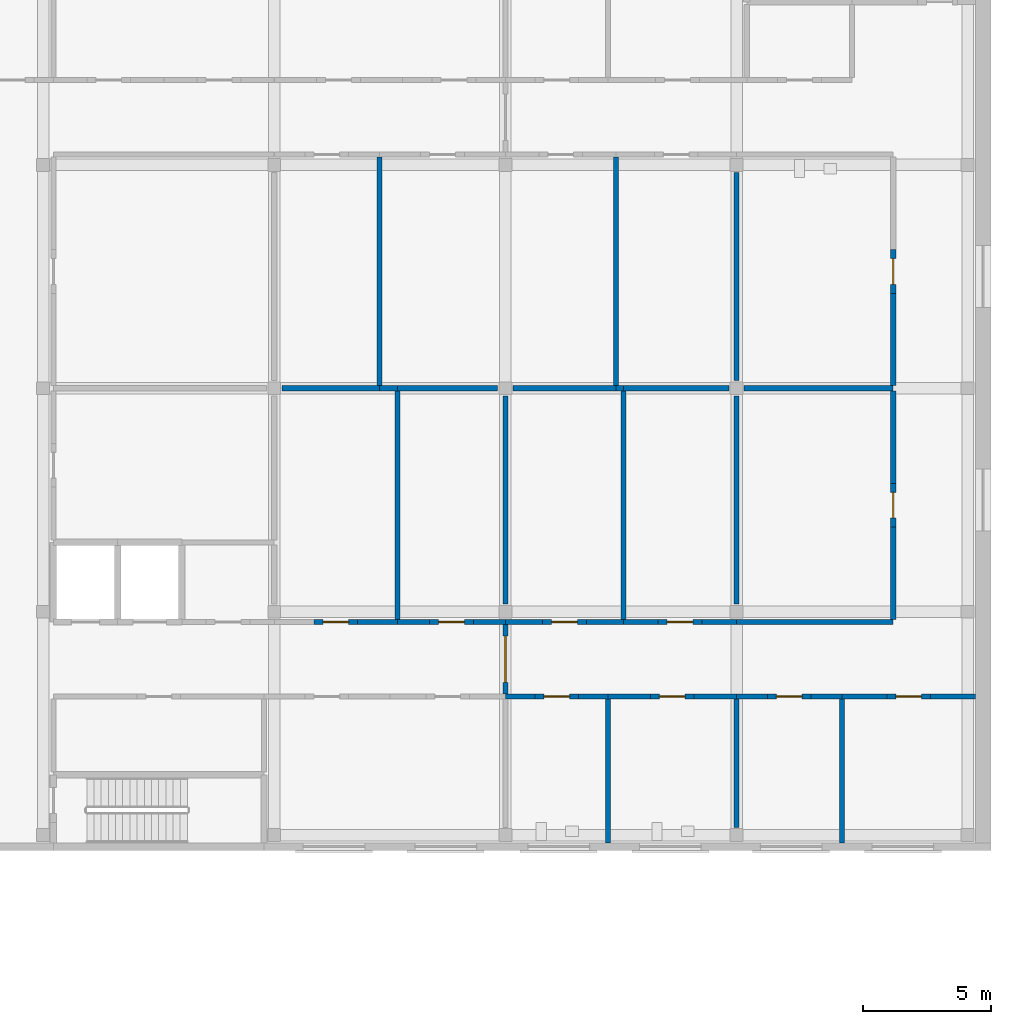
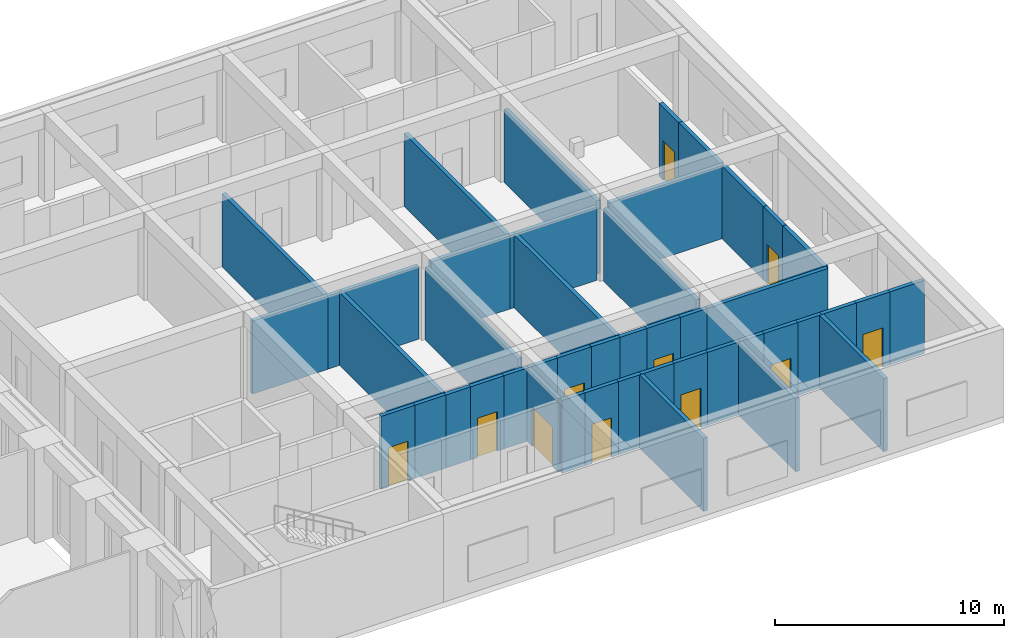
# One storey, part 14 of 24: 47 walls, 11 doors, 11 openings.
"""IFC4 building model written with IfcOpenShell, lengths in metres."""

from ifc_helpers import new_model, si_unit, direction, frame, frame_2d, origin, place, context, subcontext, project, spatial, rectangle, extrude, material, layer, layer_set, type_object, element, fill, save


model = new_model("IFC4")

# Units and contexts
model_context = context("Model", 3, precision=1e-05, world=origin(), true_north=direction((0.0, 1.0)))
body_context = subcontext(model_context, "Body", "Model", "MODEL_VIEW")
ifc_project = project(units=[si_unit("LENGTHUNIT", "METRE"), si_unit("AREAUNIT", "SQUARE_METRE"), si_unit("VOLUMEUNIT", "CUBIC_METRE"), si_unit("PLANEANGLEUNIT", "RADIAN"), si_unit("MASSUNIT", "GRAM", prefix="KILO")], contexts=[model_context])

# Site, building, storey
site_placement = place(None, origin())
site = spatial("IfcSite", under=ifc_project, at=site_placement, CompositionType="ELEMENT")
building_placement = place(site_placement, origin())
building = spatial("IfcBuilding", under=site, at=building_placement, Name="Girih Gate Residences", CompositionType="ELEMENT")
storey_placement = place(building_placement, frame((0.0, 0.0, 16.0)))
storey = spatial("IfcBuildingStorey", under=building, at=storey_placement, Name="L03", CompositionType="ELEMENT", Elevation=16.0)

# Wall
ifc_material_1 = material(Name="Fire-rated gypsum partition")
ifc_layer_1 = layer(ifc_material_1, 0.199951171875)
ifc_layer_set_1 = layer_set([ifc_layer_1], Name="HC Corridor wall 200 EI 60")
wall_type_1 = type_object("IfcWallType", Name="HC Corridor wall 200 EI 60", PredefinedType="PARTITIONING", material=ifc_layer_set_1)
wall_1_placement = place(storey_placement, frame((71.449951171875, 15.0, 0.0), z_axis=(0.0, 0.0, 1.0), x_axis=(1.0, 0.0, 0.0)))
element("IfcWall", 1, at=wall_1_placement, inside=storey, type_object=wall_type_1, Name="L03 wall x15.00/71.5", PredefinedType="PARTITIONING", context=body_context, shape_type="SweptSolid", body=[
    extrude(rectangle(XDim=1.150146484375, YDim=0.199951171875, at=frame_2d((0.5751953125, 0.0))), origin(), (0.0, 0.0, 1.0), 3.89990234375),
])

# Wall, opening, door
wall_2_placement = place(storey_placement, frame((74.300048828125, 15.0, 0.0), z_axis=(0.0, 0.0, 1.0), x_axis=(-1.0, 0.0, 0.0)))
wall_2 = element("IfcWall", 2, at=wall_2_placement, inside=storey, type_object=wall_type_1, Name="L03 wall x15.00/72.6", PredefinedType="PARTITIONING", context=body_context, shape_type="SweptSolid", body=[
    extrude(rectangle(XDim=1.699951171875, YDim=0.199951171875, at=frame_2d((0.85009765625, 0.0))), origin(), (0.0, 0.0, 1.0), 3.89990234375),
])
opening_1_placement = place(wall_2_placement, frame((0.35009765625, 0.0, 0.0)))
opening_1 = element("IfcOpeningElement", 3, at=opening_1_placement, cuts=wall_2, Name="Opening HC-L03-D10", PredefinedType="OPENING", context=body_context, shape_type="SweptSolid", body=[
    extrude(rectangle(XDim=1.0, YDim=2.10009765625, at=frame_2d((0.5, 1.050048828125))), frame((0.0, 0.10986328125, 0.0), z_axis=(0.0, -1.0, 0.0), x_axis=(1.0, 0.0, 0.0)), (0.0, 0.0, 1.0), 0.219970703125),
])
ifc_material_2 = material(Name="Timber door set", Category="wood")
door_type_1 = type_object("IfcDoorType", Name="HC Door 1000x2100 FD30S", OperationType="NOTDEFINED", PredefinedType="DOOR", material=ifc_material_2)
door_1_placement = place(opening_1_placement, origin())
door_1 = element("IfcDoor", 4, at=door_1_placement, inside=storey, type_object=door_type_1, Name="L03 Accessible WC door", OperationType="SINGLE_SWING_LEFT", OverallHeight=2.10009765625, OverallWidth=1.0, PredefinedType="DOOR", context=body_context, shape_type="SweptSolid", body=[
    extrude(rectangle(XDim=1.0, YDim=2.10009765625, at=frame_2d((0.5, 1.050048828125))), frame((0.0, 0.02490234375, 0.0), z_axis=(0.0, -1.0, 0.0), x_axis=(1.0, 0.0, 0.0)), (0.0, 0.0, 1.0), 0.050048828125),
])
fill(opening_1, door_1)

# Walls
wall_3_placement = place(storey_placement, frame((74.300048828125, 15.0, 0.0), z_axis=(0.0, 0.0, 1.0), x_axis=(1.0, 0.0, 0.0)))
element("IfcWall", 5, at=wall_3_placement, inside=storey, type_object=wall_type_1, Name="L03 wall x15.00/74.3", PredefinedType="PARTITIONING", context=body_context, shape_type="SweptSolid", body=[
    extrude(rectangle(XDim=1.14990234375, YDim=0.199951171875, at=frame_2d((0.574951171875, 0.0))), origin(), (0.0, 0.0, 1.0), 3.89990234375),
])
wall_4_placement = place(storey_placement, frame((75.449951171875, 15.0, 0.0), z_axis=(0.0, 0.0, 1.0), x_axis=(1.0, 0.0, 0.0)))
element("IfcWall", 6, at=wall_4_placement, inside=storey, type_object=wall_type_1, Name="L03 wall x15.00/75.5", PredefinedType="PARTITIONING", context=body_context, shape_type="SweptSolid", body=[
    extrude(rectangle(XDim=1.650146484375, YDim=0.199951171875, at=frame_2d((0.8251953125, 0.0))), origin(), (0.0, 0.0, 1.0), 3.89990234375),
])

# Wall, opening, door
wall_5_placement = place(storey_placement, frame((78.800048828125, 15.0, 0.0), z_axis=(0.0, 0.0, 1.0), x_axis=(-1.0, 0.0, 0.0)))
wall_5 = element("IfcWall", 7, at=wall_5_placement, inside=storey, type_object=wall_type_1, Name="L03 wall x15.00/77.1", PredefinedType="PARTITIONING", context=body_context, shape_type="SweptSolid", body=[
    extrude(rectangle(XDim=1.699951171875, YDim=0.199951171875, at=frame_2d((0.85009765625, 0.0))), origin(), (0.0, 0.0, 1.0), 3.89990234375),
])
opening_2_placement = place(wall_5_placement, frame((0.35009765625, 0.0, 0.0)))
opening_2 = element("IfcOpeningElement", 8, at=opening_2_placement, cuts=wall_5, Name="Opening HC-L03-D11", PredefinedType="OPENING", context=body_context, shape_type="SweptSolid", body=[
    extrude(rectangle(XDim=1.0, YDim=2.10009765625, at=frame_2d((0.5, 1.050048828125))), frame((0.0, 0.10986328125, 0.0), z_axis=(0.0, -1.0, 0.0), x_axis=(1.0, 0.0, 0.0)), (0.0, 0.0, 1.0), 0.219970703125),
])
door_2_placement = place(opening_2_placement, origin())
door_2 = element("IfcDoor", 9, at=door_2_placement, inside=storey, type_object=door_type_1, Name="L03 Public WC door", OperationType="SINGLE_SWING_RIGHT", OverallHeight=2.10009765625, OverallWidth=1.0, PredefinedType="DOOR", context=body_context, shape_type="SweptSolid", body=[
    extrude(rectangle(XDim=1.0, YDim=2.10009765625, at=frame_2d((0.5, 1.050048828125))), frame((0.0, 0.02490234375, 0.0), z_axis=(0.0, -1.0, 0.0), x_axis=(1.0, 0.0, 0.0)), (0.0, 0.0, 1.0), 0.050048828125),
])
fill(opening_2, door_2)

# Walls
wall_6_placement = place(storey_placement, frame((78.800048828125, 15.0, 0.0), z_axis=(0.0, 0.0, 1.0), x_axis=(1.0, 0.0, 0.0)))
element("IfcWall", 10, at=wall_6_placement, inside=storey, type_object=wall_type_1, Name="L03 wall x15.00/78.8", PredefinedType="PARTITIONING", context=body_context, shape_type="SweptSolid", body=[
    extrude(rectangle(XDim=1.64990234375, YDim=0.199951171875, at=frame_2d((0.824951171875, 0.0))), origin(), (0.0, 0.0, 1.0), 3.89990234375),
])
wall_7_placement = place(storey_placement, frame((80.449951171875, 15.0, 0.0), z_axis=(0.0, 0.0, 1.0), x_axis=(1.0, 0.0, 0.0)))
element("IfcWall", 11, at=wall_7_placement, inside=storey, type_object=wall_type_1, Name="L03 wall x15.00/80.5", PredefinedType="PARTITIONING", context=body_context, shape_type="SweptSolid", body=[
    extrude(rectangle(XDim=1.199951171875, YDim=0.199951171875, at=frame_2d((0.60009765625, 0.0))), origin(), (0.0, 0.0, 1.0), 3.89990234375),
])

# Wall, opening, door
wall_8_placement = place(storey_placement, frame((83.35009765625, 15.0, 0.0), z_axis=(0.0, 0.0, 1.0), x_axis=(-1.0, 0.0, 0.0)))
wall_8 = element("IfcWall", 12, at=wall_8_placement, inside=storey, type_object=wall_type_1, Name="L03 wall x15.00/81.7", PredefinedType="PARTITIONING", context=body_context, shape_type="SweptSolid", body=[
    extrude(rectangle(XDim=1.7001953125, YDim=0.199951171875, at=frame_2d((0.85009765625, 0.0))), origin(), (0.0, 0.0, 1.0), 3.89990234375),
])
opening_3_placement = place(wall_8_placement, frame((0.35009765625, 0.0, 0.0)))
opening_3 = element("IfcOpeningElement", 13, at=opening_3_placement, cuts=wall_8, Name="Opening HC-L03-D12", PredefinedType="OPENING", context=body_context, shape_type="SweptSolid", body=[
    extrude(rectangle(XDim=1.0, YDim=2.10009765625, at=frame_2d((0.5, 1.050048828125))), frame((0.0, 0.10986328125, 0.0), z_axis=(0.0, -1.0, 0.0), x_axis=(1.0, 0.0, 0.0)), (0.0, 0.0, 1.0), 0.219970703125),
])
door_3_placement = place(opening_3_placement, origin())
door_3 = element("IfcDoor", 14, at=door_3_placement, inside=storey, type_object=door_type_1, Name="L03 Dental surgery 3 door", OperationType="SINGLE_SWING_LEFT", OverallHeight=2.10009765625, OverallWidth=1.0, PredefinedType="DOOR", context=body_context, shape_type="SweptSolid", body=[
    extrude(rectangle(XDim=1.0, YDim=2.10009765625, at=frame_2d((0.5, 1.050048828125))), frame((0.0, 0.02490234375, 0.0), z_axis=(0.0, -1.0, 0.0), x_axis=(1.0, 0.0, 0.0)), (0.0, 0.0, 1.0), 0.050048828125),
])
fill(opening_3, door_3)

# Walls
wall_9_placement = place(storey_placement, frame((83.35009765625, 15.0, 0.0), z_axis=(0.0, 0.0, 1.0), x_axis=(1.0, 0.0, 0.0)))
element("IfcWall", 15, at=wall_9_placement, inside=storey, type_object=wall_type_1, Name="L03 wall x15.00/83.3", PredefinedType="PARTITIONING", context=body_context, shape_type="SweptSolid", body=[
    extrude(rectangle(XDim=1.199951171875, YDim=0.199951171875, at=frame_2d((0.60009765625, 0.0))), origin(), (0.0, 0.0, 1.0), 3.89990234375),
])
wall_10_placement = place(storey_placement, frame((84.550048828125, 15.0, 0.0), z_axis=(0.0, 0.0, 1.0), x_axis=(1.0, 0.0, 0.0)))
element("IfcWall", 16, at=wall_10_placement, inside=storey, type_object=wall_type_1, Name="L03 wall x15.00/84.5", PredefinedType="PARTITIONING", context=body_context, shape_type="SweptSolid", body=[
    extrude(rectangle(XDim=1.75, YDim=0.199951171875, at=frame_2d((0.875, 0.0))), origin(), (0.0, 0.0, 1.0), 3.89990234375),
])

# Wall, opening, door
wall_11_placement = place(storey_placement, frame((88.0, 15.0, 0.0), z_axis=(0.0, 0.0, 1.0), x_axis=(-1.0, 0.0, 0.0)))
wall_11 = element("IfcWall", 17, at=wall_11_placement, inside=storey, type_object=wall_type_1, Name="L03 wall x15.00/86.3", PredefinedType="PARTITIONING", context=body_context, shape_type="SweptSolid", body=[
    extrude(rectangle(XDim=1.699951171875, YDim=0.199951171875, at=frame_2d((0.85009765625, 0.0))), origin(), (0.0, 0.0, 1.0), 3.89990234375),
])
opening_4_placement = place(wall_11_placement, frame((0.35009765625, 0.0, 0.0)))
opening_4 = element("IfcOpeningElement", 18, at=opening_4_placement, cuts=wall_11, Name="Opening HC-L03-D13", PredefinedType="OPENING", context=body_context, shape_type="SweptSolid", body=[
    extrude(rectangle(XDim=1.0, YDim=2.10009765625, at=frame_2d((0.5, 1.050048828125))), frame((0.0, 0.10986328125, 0.0), z_axis=(0.0, -1.0, 0.0), x_axis=(1.0, 0.0, 0.0)), (0.0, 0.0, 1.0), 0.219970703125),
])
door_4_placement = place(opening_4_placement, origin())
door_4 = element("IfcDoor", 19, at=door_4_placement, inside=storey, type_object=door_type_1, Name="L03 Dental sterilisation room door", OperationType="SINGLE_SWING_RIGHT", OverallHeight=2.10009765625, OverallWidth=1.0, PredefinedType="DOOR", context=body_context, shape_type="SweptSolid", body=[
    extrude(rectangle(XDim=1.0, YDim=2.10009765625, at=frame_2d((0.5, 1.050048828125))), frame((0.0, 0.02490234375, 0.0), z_axis=(0.0, -1.0, 0.0), x_axis=(1.0, 0.0, 0.0)), (0.0, 0.0, 1.0), 0.050048828125),
])
fill(opening_4, door_4)

# Wall
wall_12_placement = place(storey_placement, frame((88.0, 15.0, 0.0), z_axis=(0.0, 0.0, 1.0), x_axis=(1.0, 0.0, 0.0)))
element("IfcWall", 20, at=wall_12_placement, inside=storey, type_object=wall_type_1, Name="L03 wall x15.00/88.0", PredefinedType="PARTITIONING", context=body_context, shape_type="SweptSolid", body=[
    extrude(rectangle(XDim=1.75, YDim=0.199951171875, at=frame_2d((0.875, 0.0))), origin(), (0.0, 0.0, 1.0), 3.89990234375),
])

# Wall, opening, door
wall_13_placement = place(storey_placement, frame((64.0, 17.89990234375, 0.0), z_axis=(0.0, 0.0, 1.0), x_axis=(1.0, 0.0, 0.0)))
wall_13 = element("IfcWall", 21, at=wall_13_placement, inside=storey, type_object=wall_type_1, Name="L03 wall x17.90/64.0", PredefinedType="PARTITIONING", context=body_context, shape_type="SweptSolid", body=[
    extrude(rectangle(XDim=1.699951171875, YDim=0.199951171875, at=frame_2d((0.85009765625, 0.0))), origin(), (0.0, 0.0, 1.0), 3.89990234375),
])
opening_5_placement = place(wall_13_placement, frame((0.35009765625, 0.0, 0.0)))
opening_5 = element("IfcOpeningElement", 22, at=opening_5_placement, cuts=wall_13, Name="Opening HC-L03-D16", PredefinedType="OPENING", context=body_context, shape_type="SweptSolid", body=[
    extrude(rectangle(XDim=1.0, YDim=2.10009765625, at=frame_2d((0.5, 1.050048828125))), frame((0.0, 0.10986328125, 0.0), z_axis=(0.0, -1.0, 0.0), x_axis=(1.0, 0.0, 0.0)), (0.0, 0.0, 1.0), 0.219970703125),
])
door_5_placement = place(opening_5_placement, origin())
door_5 = element("IfcDoor", 23, at=door_5_placement, inside=storey, type_object=door_type_1, Name="L03 Physiotherapy gym door", OperationType="SINGLE_SWING_RIGHT", OverallHeight=2.10009765625, OverallWidth=1.0, PredefinedType="DOOR", context=body_context, shape_type="SweptSolid", body=[
    extrude(rectangle(XDim=1.0, YDim=2.10009765625, at=frame_2d((0.5, 1.050048828125))), frame((0.0, 0.02490234375, 0.0), z_axis=(0.0, -1.0, 0.0), x_axis=(1.0, 0.0, 0.0)), (0.0, 0.0, 1.0), 0.050048828125),
])
fill(opening_5, door_5)

# Walls
wall_14_placement = place(storey_placement, frame((65.699951171875, 17.89990234375, 0.0), z_axis=(0.0, 0.0, 1.0), x_axis=(1.0, 0.0, 0.0)))
element("IfcWall", 24, at=wall_14_placement, inside=storey, type_object=wall_type_1, Name="L03 wall x17.90/65.7", PredefinedType="PARTITIONING", context=body_context, shape_type="SweptSolid", body=[
    extrude(rectangle(XDim=1.550048828125, YDim=0.199951171875, at=frame_2d((0.77490234375, 0.0))), origin(), (0.0, 0.0, 1.0), 3.89990234375),
])
wall_15_placement = place(storey_placement, frame((67.25, 17.89990234375, 0.0), z_axis=(0.0, 0.0, 1.0), x_axis=(1.0, 0.0, 0.0)))
element("IfcWall", 25, at=wall_15_placement, inside=storey, type_object=wall_type_1, Name="L03 wall x17.90/67.2", PredefinedType="PARTITIONING", context=body_context, shape_type="SweptSolid", body=[
    extrude(rectangle(XDim=1.25, YDim=0.199951171875, at=frame_2d((0.625, 0.0))), origin(), (0.0, 0.0, 1.0), 3.89990234375),
])

# Wall, opening, door
wall_16_placement = place(storey_placement, frame((68.5, 17.89990234375, 0.0), z_axis=(0.0, 0.0, 1.0), x_axis=(1.0, 0.0, 0.0)))
wall_16 = element("IfcWall", 26, at=wall_16_placement, inside=storey, type_object=wall_type_1, Name="L03 wall x17.90/68.5", PredefinedType="PARTITIONING", context=body_context, shape_type="SweptSolid", body=[
    extrude(rectangle(XDim=1.699951171875, YDim=0.199951171875, at=frame_2d((0.85009765625, 0.0))), origin(), (0.0, 0.0, 1.0), 3.89990234375),
])
opening_6_placement = place(wall_16_placement, frame((0.35009765625, 0.0, 0.0)))
opening_6 = element("IfcOpeningElement", 27, at=opening_6_placement, cuts=wall_16, Name="Opening HC-L03-D17", PredefinedType="OPENING", context=body_context, shape_type="SweptSolid", body=[
    extrude(rectangle(XDim=1.0, YDim=2.10009765625, at=frame_2d((0.5, 1.050048828125))), frame((0.0, 0.10986328125, 0.0), z_axis=(0.0, -1.0, 0.0), x_axis=(1.0, 0.0, 0.0)), (0.0, 0.0, 1.0), 0.219970703125),
])
door_6_placement = place(opening_6_placement, origin())
door_6 = element("IfcDoor", 28, at=door_6_placement, inside=storey, type_object=door_type_1, Name="L03 Physiotherapy assessment room door", OperationType="SINGLE_SWING_LEFT", OverallHeight=2.10009765625, OverallWidth=1.0, PredefinedType="DOOR", context=body_context, shape_type="SweptSolid", body=[
    extrude(rectangle(XDim=1.0, YDim=2.10009765625, at=frame_2d((0.5, 1.050048828125))), frame((0.0, 0.02490234375, 0.0), z_axis=(0.0, -1.0, 0.0), x_axis=(1.0, 0.0, 0.0)), (0.0, 0.0, 1.0), 0.050048828125),
])
fill(opening_6, door_6)

# Walls
wall_17_placement = place(storey_placement, frame((70.199951171875, 17.89990234375, 0.0), z_axis=(0.0, 0.0, 1.0), x_axis=(1.0, 0.0, 0.0)))
element("IfcWall", 29, at=wall_17_placement, inside=storey, type_object=wall_type_1, Name="L03 wall x17.90/70.2", PredefinedType="PARTITIONING", context=body_context, shape_type="SweptSolid", body=[
    extrude(rectangle(XDim=1.25, YDim=0.199951171875, at=frame_2d((0.625, 0.0))), origin(), (0.0, 0.0, 1.0), 3.89990234375),
])
wall_18_placement = place(storey_placement, frame((71.449951171875, 17.89990234375, 0.0), z_axis=(0.0, 0.0, 1.0), x_axis=(1.0, 0.0, 0.0)))
element("IfcWall", 30, at=wall_18_placement, inside=storey, type_object=wall_type_1, Name="L03 wall x17.90/71.5", PredefinedType="PARTITIONING", context=body_context, shape_type="SweptSolid", body=[
    extrude(rectangle(XDim=1.449951171875, YDim=0.199951171875, at=frame_2d((0.72509765625, 0.0))), origin(), (0.0, 0.0, 1.0), 3.89990234375),
])

# Wall, opening, door
wall_19_placement = place(storey_placement, frame((72.89990234375, 17.89990234375, 0.0), z_axis=(0.0, 0.0, 1.0), x_axis=(1.0, 0.0, 0.0)))
wall_19 = element("IfcWall", 31, at=wall_19_placement, inside=storey, type_object=wall_type_1, Name="L03 wall x17.90/72.9", PredefinedType="PARTITIONING", context=body_context, shape_type="SweptSolid", body=[
    extrude(rectangle(XDim=1.7001953125, YDim=0.199951171875, at=frame_2d((0.85009765625, 0.0))), origin(), (0.0, 0.0, 1.0), 3.89990234375),
])
opening_7_placement = place(wall_19_placement, frame((0.35009765625, 0.0, 0.0)))
opening_7 = element("IfcOpeningElement", 32, at=opening_7_placement, cuts=wall_19, Name="Opening HC-L03-D18", PredefinedType="OPENING", context=body_context, shape_type="SweptSolid", body=[
    extrude(rectangle(XDim=1.0, YDim=2.10009765625, at=frame_2d((0.5, 1.050048828125))), frame((0.0, 0.10986328125, 0.0), z_axis=(0.0, -1.0, 0.0), x_axis=(1.0, 0.0, 0.0)), (0.0, 0.0, 1.0), 0.219970703125),
])
door_7_placement = place(opening_7_placement, origin())
door_7 = element("IfcDoor", 33, at=door_7_placement, inside=storey, type_object=door_type_1, Name="L03 Dental x-ray room door", OperationType="SINGLE_SWING_RIGHT", OverallHeight=2.10009765625, OverallWidth=1.0, PredefinedType="DOOR", context=body_context, shape_type="SweptSolid", body=[
    extrude(rectangle(XDim=1.0, YDim=2.10009765625, at=frame_2d((0.5, 1.050048828125))), frame((0.0, 0.02490234375, 0.0), z_axis=(0.0, -1.0, 0.0), x_axis=(1.0, 0.0, 0.0)), (0.0, 0.0, 1.0), 0.050048828125),
])
fill(opening_7, door_7)

# Walls
wall_20_placement = place(storey_placement, frame((74.60009765625, 17.89990234375, 0.0), z_axis=(0.0, 0.0, 1.0), x_axis=(1.0, 0.0, 0.0)))
element("IfcWall", 34, at=wall_20_placement, inside=storey, type_object=wall_type_1, Name="L03 wall x17.90/74.6", PredefinedType="PARTITIONING", context=body_context, shape_type="SweptSolid", body=[
    extrude(rectangle(XDim=1.449951171875, YDim=0.199951171875, at=frame_2d((0.72509765625, 0.0))), origin(), (0.0, 0.0, 1.0), 3.89990234375),
])
wall_21_placement = place(storey_placement, frame((76.050048828125, 17.89990234375, 0.0), z_axis=(0.0, 0.0, 1.0), x_axis=(1.0, 0.0, 0.0)))
element("IfcWall", 35, at=wall_21_placement, inside=storey, type_object=wall_type_1, Name="L03 wall x17.90/76.0", PredefinedType="PARTITIONING", context=body_context, shape_type="SweptSolid", body=[
    extrude(rectangle(XDim=1.349853515625, YDim=0.199951171875, at=frame_2d((0.6748046875, 0.0))), origin(), (0.0, 0.0, 1.0), 3.89990234375),
])

# Wall, opening, door
wall_22_placement = place(storey_placement, frame((77.39990234375, 17.89990234375, 0.0), z_axis=(0.0, 0.0, 1.0), x_axis=(1.0, 0.0, 0.0)))
wall_22 = element("IfcWall", 36, at=wall_22_placement, inside=storey, type_object=wall_type_1, Name="L03 wall x17.90/77.4", PredefinedType="PARTITIONING", context=body_context, shape_type="SweptSolid", body=[
    extrude(rectangle(XDim=1.7001953125, YDim=0.199951171875, at=frame_2d((0.85009765625, 0.0))), origin(), (0.0, 0.0, 1.0), 3.89990234375),
])
opening_8_placement = place(wall_22_placement, frame((0.35009765625, 0.0, 0.0)))
opening_8 = element("IfcOpeningElement", 37, at=opening_8_placement, cuts=wall_22, Name="Opening HC-L03-D19", PredefinedType="OPENING", context=body_context, shape_type="SweptSolid", body=[
    extrude(rectangle(XDim=1.0, YDim=2.10009765625, at=frame_2d((0.5, 1.050048828125))), frame((0.0, 0.10986328125, 0.0), z_axis=(0.0, -1.0, 0.0), x_axis=(1.0, 0.0, 0.0)), (0.0, 0.0, 1.0), 0.219970703125),
])
door_8_placement = place(opening_8_placement, origin())
door_8 = element("IfcDoor", 38, at=door_8_placement, inside=storey, type_object=door_type_1, Name="L03 Dental laboratory door", OperationType="SINGLE_SWING_LEFT", OverallHeight=2.10009765625, OverallWidth=1.0, PredefinedType="DOOR", context=body_context, shape_type="SweptSolid", body=[
    extrude(rectangle(XDim=1.0, YDim=2.10009765625, at=frame_2d((0.5, 1.050048828125))), frame((0.0, 0.02490234375, 0.0), z_axis=(0.0, -1.0, 0.0), x_axis=(1.0, 0.0, 0.0)), (0.0, 0.0, 1.0), 0.050048828125),
])
fill(opening_8, door_8)

# Walls
wall_23_placement = place(storey_placement, frame((79.10009765625, 17.89990234375, 0.0), z_axis=(0.0, 0.0, 1.0), x_axis=(1.0, 0.0, 0.0)))
element("IfcWall", 39, at=wall_23_placement, inside=storey, type_object=wall_type_1, Name="L03 wall x17.90/79.1", PredefinedType="PARTITIONING", context=body_context, shape_type="SweptSolid", body=[
    extrude(rectangle(XDim=1.349853515625, YDim=0.199951171875, at=frame_2d((0.6748046875, 0.0))), origin(), (0.0, 0.0, 1.0), 3.89990234375),
])
wall_24_placement = place(storey_placement, frame((80.449951171875, 17.89990234375, 0.0), z_axis=(0.0, 0.0, 1.0), x_axis=(1.0, 0.0, 0.0)))
element("IfcWall", 40, at=wall_24_placement, inside=storey, type_object=wall_type_1, Name="L03 wall x17.90/80.5", PredefinedType="PARTITIONING", context=body_context, shape_type="SweptSolid", body=[
    extrude(rectangle(XDim=6.10009765625, YDim=0.199951171875, at=frame_2d((3.050048828125, 0.0))), origin(), (0.0, 0.0, 1.0), 3.89990234375),
])

# Wall, opening, door
wall_25_placement = place(storey_placement, frame((71.449951171875, 17.800048828125, 0.0), z_axis=(0.0, 0.0, 1.0), x_axis=(0.0, -1.0, 0.0)))
wall_25 = element("IfcWall", 41, at=wall_25_placement, inside=storey, type_object=wall_type_1, Name="L03 wall y71.45/15.1", PredefinedType="PARTITIONING", context=body_context, shape_type="SweptSolid", body=[
    extrude(rectangle(XDim=2.699951171875, YDim=0.199951171875, at=frame_2d((1.35009765625, 0.0))), origin(), (0.0, 0.0, 1.0), 3.89990234375),
])
opening_9_placement = place(wall_25_placement, frame((0.449951171875, 0.0, 0.0)))
opening_9 = element("IfcOpeningElement", 42, at=opening_9_placement, cuts=wall_25, Name="Opening HC-L03-D05", PredefinedType="OPENING", context=body_context, shape_type="SweptSolid", body=[
    extrude(rectangle(XDim=1.800048828125, YDim=2.10009765625, at=frame_2d((0.89990234375, 1.050048828125))), frame((0.0, 0.10986328125, 0.0), z_axis=(0.0, -1.0, 0.0), x_axis=(1.0, 0.0, 0.0)), (0.0, 0.0, 1.0), 0.219970703125),
])
door_type_2 = type_object("IfcDoorType", Name="HC Corridor fire door pair 1800x2100 FD30S", OperationType="NOTDEFINED", PredefinedType="DOOR", material=ifc_material_2)
door_9_placement = place(opening_9_placement, origin())
door_9 = element("IfcDoor", 43, at=door_9_placement, inside=storey, type_object=door_type_2, Name="L03 corridor south fire door pair", OperationType="DOUBLE_DOOR_DOUBLE_SWING", OverallHeight=2.10009765625, OverallWidth=1.800048828125, PredefinedType="DOOR", context=body_context, shape_type="SweptSolid", body=[
    extrude(rectangle(XDim=1.800048828125, YDim=2.10009765625, at=frame_2d((0.89990234375, 1.050048828125))), frame((0.0, 0.02490234375, 0.0), z_axis=(0.0, -1.0, 0.0), x_axis=(1.0, 0.0, 0.0)), (0.0, 0.0, 1.0), 0.050048828125),
])
fill(opening_9, door_9)

# Wall
wall_26_placement = place(storey_placement, frame((86.550048828125, 18.0, 0.0), z_axis=(0.0, 0.0, 1.0), x_axis=(0.0, 1.0, 0.0)))
element("IfcWall", 44, at=wall_26_placement, inside=storey, type_object=wall_type_1, Name="L03 wall y86.55/18.0", PredefinedType="PARTITIONING", context=body_context, shape_type="SweptSolid", body=[
    extrude(rectangle(XDim=3.60009765625, YDim=0.199951171875, at=frame_2d((1.800048828125, 0.0))), origin(), (0.0, 0.0, 1.0), 3.89990234375),
])

# Wall, opening, door
wall_27_placement = place(storey_placement, frame((86.550048828125, 21.60009765625, 0.0), z_axis=(0.0, 0.0, 1.0), x_axis=(0.0, 1.0, 0.0)))
wall_27 = element("IfcWall", 45, at=wall_27_placement, inside=storey, type_object=wall_type_1, Name="L03 wall y86.55/21.6", PredefinedType="PARTITIONING", context=body_context, shape_type="SweptSolid", body=[
    extrude(rectangle(XDim=1.699951171875, YDim=0.199951171875, at=frame_2d((0.85009765625, 0.0))), origin(), (0.0, 0.0, 1.0), 3.89990234375),
])
opening_10_placement = place(wall_27_placement, frame((0.35009765625, 0.0, 0.0)))
opening_10 = element("IfcOpeningElement", 46, at=opening_10_placement, cuts=wall_27, Name="Opening HC-L03-D20", PredefinedType="OPENING", context=body_context, shape_type="SweptSolid", body=[
    extrude(rectangle(XDim=1.0, YDim=2.10009765625, at=frame_2d((0.5, 1.050048828125))), frame((0.0, 0.10986328125, 0.0), z_axis=(0.0, -1.0, 0.0), x_axis=(1.0, 0.0, 0.0)), (0.0, 0.0, 1.0), 0.219970703125),
])
door_10_placement = place(opening_10_placement, origin())
door_10 = element("IfcDoor", 47, at=door_10_placement, inside=storey, type_object=door_type_1, Name="L03 Hydrotherapy store door", OperationType="SINGLE_SWING_RIGHT", OverallHeight=2.10009765625, OverallWidth=1.0, PredefinedType="DOOR", context=body_context, shape_type="SweptSolid", body=[
    extrude(rectangle(XDim=1.0, YDim=2.10009765625, at=frame_2d((0.5, 1.050048828125))), frame((0.0, 0.02490234375, 0.0), z_axis=(0.0, -1.0, 0.0), x_axis=(1.0, 0.0, 0.0)), (0.0, 0.0, 1.0), 0.050048828125),
])
fill(opening_10, door_10)

# Walls
for number, where, z_axis, x_axis, name in (
    (48, (86.550048828125, 23.300048828125, 0.0), (0.0, 0.0, 1.0), (0.0, 1.0, 0.0), "L03 wall y86.55/23.3"),
    (49, (86.550048828125, 27.10009765625, 0.0), (0.0, 0.0, 1.0), (0.0, 1.0, 0.0), "L03 wall y86.55/27.1"),
):
    element("IfcWall", number, at=place(storey_placement, frame(where, z_axis=z_axis, x_axis=x_axis)), inside=storey, type_object=wall_type_1, Name=name, PredefinedType="PARTITIONING", context=body_context, shape_type="SweptSolid", body=[
        extrude(rectangle(XDim=3.599853515625, YDim=0.199951171875, at=frame_2d((1.7998046875, 0.0))), origin(), (0.0, 0.0, 1.0), 3.89990234375),
    ])

# Wall, opening, door
wall_28_placement = place(storey_placement, frame((86.550048828125, 30.699951171875, 0.0), z_axis=(0.0, 0.0, 1.0), x_axis=(0.0, 1.0, 0.0)))
wall_28 = element("IfcWall", 50, at=wall_28_placement, inside=storey, type_object=wall_type_1, Name="L03 wall y86.55/30.7", PredefinedType="PARTITIONING", context=body_context, shape_type="SweptSolid", body=[
    extrude(rectangle(XDim=1.699951171875, YDim=0.199951171875, at=frame_2d((0.85009765625, 0.0))), origin(), (0.0, 0.0, 1.0), 3.89990234375),
])
opening_11_placement = place(wall_28_placement, frame((0.35009765625, 0.0, 0.0)))
opening_11 = element("IfcOpeningElement", 51, at=opening_11_placement, cuts=wall_28, Name="Opening HC-L03-D26", PredefinedType="OPENING", context=body_context, shape_type="SweptSolid", body=[
    extrude(rectangle(XDim=1.0, YDim=2.10009765625, at=frame_2d((0.5, 1.050048828125))), frame((0.0, 0.10986328125, 0.0), z_axis=(0.0, -1.0, 0.0), x_axis=(1.0, 0.0, 0.0)), (0.0, 0.0, 1.0), 0.219970703125),
])
door_11_placement = place(opening_11_placement, origin())
door_11 = element("IfcDoor", 52, at=door_11_placement, inside=storey, type_object=door_type_1, Name="L03 Staff WC door", OperationType="SINGLE_SWING_RIGHT", OverallHeight=2.10009765625, OverallWidth=1.0, PredefinedType="DOOR", context=body_context, shape_type="SweptSolid", body=[
    extrude(rectangle(XDim=1.0, YDim=2.10009765625, at=frame_2d((0.5, 1.050048828125))), frame((0.0, 0.02490234375, 0.0), z_axis=(0.0, -1.0, 0.0), x_axis=(1.0, 0.0, 0.0)), (0.0, 0.0, 1.0), 0.050048828125),
])
fill(opening_11, door_11)

# Walls
ifc_material_3 = material(Name="Gypsum partition")
ifc_layer_2 = layer(ifc_material_3, 0.199951171875)
ifc_layer_set_2 = layer_set([ifc_layer_2], Name="HC Room partition 200 EI 30")
wall_type_2 = type_object("IfcWallType", Name="HC Room partition 200 EI 30", PredefinedType="PARTITIONING", material=ifc_layer_set_2)
wall_29_placement = place(storey_placement, frame((62.75, 27.0, 0.0), z_axis=(0.0, 0.0, 1.0), x_axis=(1.0, 0.0, 0.0)))
element("IfcWall", 53, at=wall_29_placement, inside=storey, type_object=wall_type_2, Name="L03 wall x27.00/62.8", PredefinedType="PARTITIONING", context=body_context, shape_type="SweptSolid", body=[
    extrude(rectangle(XDim=3.800048828125, YDim=0.199951171875, at=frame_2d((1.89990234375, 0.0))), origin(), (0.0, 0.0, 1.0), 3.89990234375),
])
wall_30_placement = place(storey_placement, frame((66.550048828125, 27.0, 0.0), z_axis=(0.0, 0.0, 1.0), x_axis=(1.0, 0.0, 0.0)))
element("IfcWall", 54, at=wall_30_placement, inside=storey, type_object=wall_type_2, Name="L03 wall x27.00/66.5", PredefinedType="PARTITIONING", context=body_context, shape_type="SweptSolid", body=[
    extrude(rectangle(XDim=0.699951171875, YDim=0.199951171875, at=frame_2d((0.35009765625, 0.0))), origin(), (0.0, 0.0, 1.0), 3.89990234375),
])
wall_31_placement = place(storey_placement, frame((67.25, 27.0, 0.0), z_axis=(0.0, 0.0, 1.0), x_axis=(1.0, 0.0, 0.0)))
element("IfcWall", 55, at=wall_31_placement, inside=storey, type_object=wall_type_2, Name="L03 wall x27.00/67.2", PredefinedType="PARTITIONING", context=body_context, shape_type="SweptSolid", body=[
    extrude(rectangle(XDim=3.89990234375, YDim=0.199951171875, at=frame_2d((1.949951171875, 0.0))), origin(), (0.0, 0.0, 1.0), 3.89990234375),
])
wall_32_placement = place(storey_placement, frame((71.75, 27.0, 0.0), z_axis=(0.0, 0.0, 1.0), x_axis=(1.0, 0.0, 0.0)))
element("IfcWall", 56, at=wall_32_placement, inside=storey, type_object=wall_type_2, Name="L03 wall x27.00/71.8", PredefinedType="PARTITIONING", context=body_context, shape_type="SweptSolid", body=[
    extrude(rectangle(XDim=4.0, YDim=0.199951171875, at=frame_2d((2.0, 0.0))), origin(), (0.0, 0.0, 1.0), 3.89990234375),
])
wall_33_placement = place(storey_placement, frame((75.75, 27.0, 0.0), z_axis=(0.0, 0.0, 1.0), x_axis=(1.0, 0.0, 0.0)))
element("IfcWall", 57, at=wall_33_placement, inside=storey, type_object=wall_type_2, Name="L03 wall x27.00/75.8", PredefinedType="PARTITIONING", context=body_context, shape_type="SweptSolid", body=[
    extrude(rectangle(XDim=0.300048828125, YDim=0.199951171875, at=frame_2d((0.14990234375, 0.0))), origin(), (0.0, 0.0, 1.0), 3.89990234375),
])
wall_34_placement = place(storey_placement, frame((76.050048828125, 27.0, 0.0), z_axis=(0.0, 0.0, 1.0), x_axis=(1.0, 0.0, 0.0)))
element("IfcWall", 58, at=wall_34_placement, inside=storey, type_object=wall_type_2, Name="L03 wall x27.00/76.0", PredefinedType="PARTITIONING", context=body_context, shape_type="SweptSolid", body=[
    extrude(rectangle(XDim=4.099853515625, YDim=0.199951171875, at=frame_2d((2.0498046875, 0.0))), origin(), (0.0, 0.0, 1.0), 3.89990234375),
])
wall_35_placement = place(storey_placement, frame((80.75, 27.0, 0.0), z_axis=(0.0, 0.0, 1.0), x_axis=(1.0, 0.0, 0.0)))
element("IfcWall", 59, at=wall_35_placement, inside=storey, type_object=wall_type_2, Name="L03 wall x27.00/80.8", PredefinedType="PARTITIONING", context=body_context, shape_type="SweptSolid", body=[
    extrude(rectangle(XDim=5.800048828125, YDim=0.199951171875, at=frame_2d((2.89990234375, 0.0))), origin(), (0.0, 0.0, 1.0), 3.89990234375),
])
for number, where, z_axis, x_axis, name in (
    (60, (66.550048828125, 27.10009765625, 0.0), (0.0, 0.0, 1.0), (0.0, 1.0, 0.0), "L03 wall y66.55/27.1"),
    (61, (67.25, 18.0, 0.0), (0.0, 0.0, 1.0), (0.0, 1.0, 0.0), "L03 wall y67.25/18.0"),
):
    element("IfcWall", number, at=place(storey_placement, frame(where, z_axis=z_axis, x_axis=x_axis)), inside=storey, type_object=wall_type_2, Name=name, PredefinedType="PARTITIONING", context=body_context, shape_type="SweptSolid", body=[
        extrude(rectangle(XDim=8.89990234375, YDim=0.199951171875, at=frame_2d((4.449951171875, 0.0))), origin(), (0.0, 0.0, 1.0), 3.89990234375),
    ])
wall_36_placement = place(storey_placement, frame((71.449951171875, 18.60009765625, 0.0), z_axis=(0.0, 0.0, 1.0), x_axis=(0.0, 1.0, 0.0)))
element("IfcWall", 62, at=wall_36_placement, inside=storey, type_object=wall_type_2, Name="L03 wall y71.45/18.6", PredefinedType="PARTITIONING", context=body_context, shape_type="SweptSolid", body=[
    extrude(rectangle(XDim=8.099853515625, YDim=0.199951171875, at=frame_2d((4.0498046875, 0.0))), origin(), (0.0, 0.0, 1.0), 3.89990234375),
])
wall_37_placement = place(storey_placement, frame((75.449951171875, 9.300048828125, 0.0), z_axis=(0.0, 0.0, 1.0), x_axis=(0.0, 1.0, 0.0)))
element("IfcWall", 63, at=wall_37_placement, inside=storey, type_object=wall_type_2, Name="L03 wall y75.45/9.3", PredefinedType="PARTITIONING", context=body_context, shape_type="SweptSolid", body=[
    extrude(rectangle(XDim=5.599853515625, YDim=0.199951171875, at=frame_2d((2.7998046875, 0.0))), origin(), (0.0, 0.0, 1.0), 3.89990234375),
])
for number, where, z_axis, x_axis, name in (
    (64, (75.75, 27.10009765625, 0.0), (0.0, 0.0, 1.0), (0.0, 1.0, 0.0), "L03 wall y75.75/27.1"),
    (65, (76.050048828125, 18.0, 0.0), (0.0, 0.0, 1.0), (0.0, 1.0, 0.0), "L03 wall y76.05/18.0"),
):
    element("IfcWall", number, at=place(storey_placement, frame(where, z_axis=z_axis, x_axis=x_axis)), inside=storey, type_object=wall_type_2, Name=name, PredefinedType="PARTITIONING", context=body_context, shape_type="SweptSolid", body=[
        extrude(rectangle(XDim=8.89990234375, YDim=0.199951171875, at=frame_2d((4.449951171875, 0.0))), origin(), (0.0, 0.0, 1.0), 3.89990234375),
    ])
wall_38_placement = place(storey_placement, frame((80.449951171875, 9.89990234375, 0.0), z_axis=(0.0, 0.0, 1.0), x_axis=(0.0, 1.0, 0.0)))
element("IfcWall", 66, at=wall_38_placement, inside=storey, type_object=wall_type_2, Name="L03 wall y80.45/9.9", PredefinedType="PARTITIONING", context=body_context, shape_type="SweptSolid", body=[
    extrude(rectangle(XDim=5.0, YDim=0.199951171875, at=frame_2d((2.5, 0.0))), origin(), (0.0, 0.0, 1.0), 3.89990234375),
])
for number, where, z_axis, x_axis, name in (
    (67, (80.449951171875, 18.60009765625, 0.0), (0.0, 0.0, 1.0), (0.0, 1.0, 0.0), "L03 wall y80.45/18.6"),
    (68, (80.449951171875, 27.300048828125, 0.0), (0.0, 0.0, 1.0), (0.0, 1.0, 0.0), "L03 wall y80.45/27.3"),
):
    element("IfcWall", number, at=place(storey_placement, frame(where, z_axis=z_axis, x_axis=x_axis)), inside=storey, type_object=wall_type_2, Name=name, PredefinedType="PARTITIONING", context=body_context, shape_type="SweptSolid", body=[
        extrude(rectangle(XDim=8.099853515625, YDim=0.199951171875, at=frame_2d((4.0498046875, 0.0))), origin(), (0.0, 0.0, 1.0), 3.89990234375),
    ])
wall_39_placement = place(storey_placement, frame((84.550048828125, 9.300048828125, 0.0), z_axis=(0.0, 0.0, 1.0), x_axis=(0.0, 1.0, 0.0)))
element("IfcWall", 69, at=wall_39_placement, inside=storey, type_object=wall_type_2, Name="L03 wall y84.55/9.3", PredefinedType="PARTITIONING", context=body_context, shape_type="SweptSolid", body=[
    extrude(rectangle(XDim=5.599853515625, YDim=0.199951171875, at=frame_2d((2.7998046875, 0.0))), origin(), (0.0, 0.0, 1.0), 3.89990234375),
])

save(model, "model.ifc")
